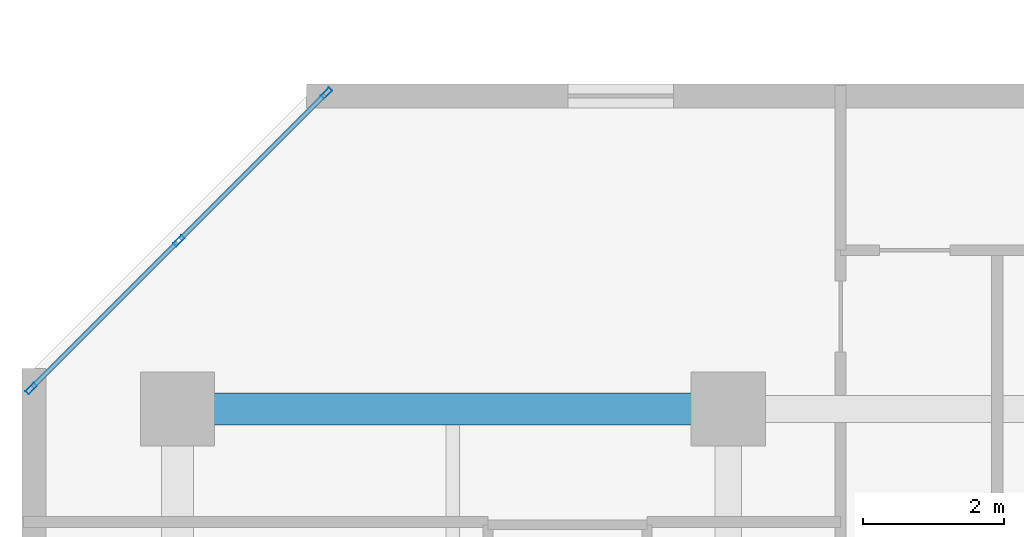
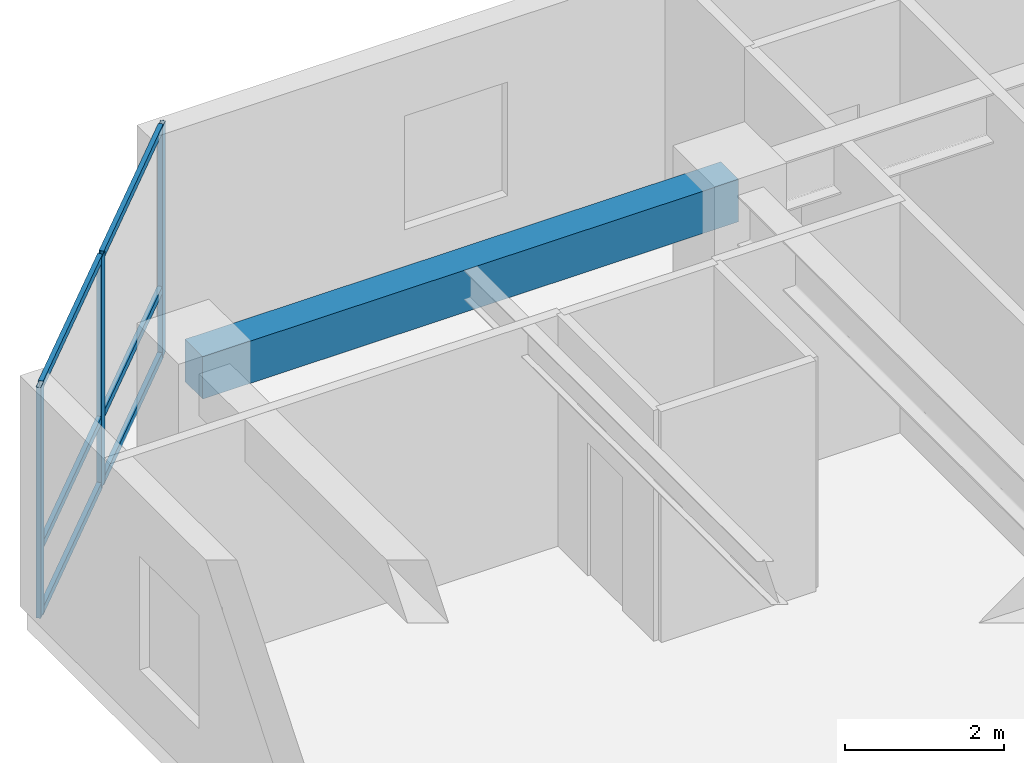
# One storey, part 3 of 11: 9 members, 1 beam, 1 element without a shape of its own.
"""IFC4 building model written with IfcOpenShell, lengths in metres."""

from ifc_helpers import new_model, si_unit, direction, frame, origin, origin_2d, place, context, subcontext, project, spatial, rectangle, hollow_rectangle, extrude, material, layer, layer_set, material_profile, profile_set, type_object, element, aggregate, save


model = new_model("IFC4")

# Units and contexts
model_context = context("Model", 3, precision=1e-05, world=origin(), true_north=direction((0.0, 1.0)))
body_context = subcontext(model_context, "Body", "Model", "MODEL_VIEW")
ifc_project = project(units=[si_unit("LENGTHUNIT", "METRE"), si_unit("AREAUNIT", "SQUARE_METRE"), si_unit("VOLUMEUNIT", "CUBIC_METRE"), si_unit("PLANEANGLEUNIT", "RADIAN"), si_unit("MASSUNIT", "GRAM", prefix="KILO")], contexts=[model_context])

# Site, building, storey
site_placement = place(None, origin())
site = spatial("IfcSite", under=ifc_project, at=site_placement, CompositionType="ELEMENT")
building_placement = place(site_placement, origin())
building = spatial("IfcBuilding", under=site, at=building_placement, Name="Kestravale Grand Hotel", CompositionType="ELEMENT")
storey_placement = place(building_placement, frame((0.0, 0.0, 168.800048828125)))
storey = spatial("IfcBuildingStorey", under=building, at=storey_placement, Name="L42", CompositionType="ELEMENT", Elevation=168.800048828125)

# Beam
ifc_material_1 = material(Name="Concrete f'c 45 MPa", Category="concrete")
ifc_material_profile_1 = material_profile(ifc_material_1, rectangle(XDim=0.449951171875, YDim=0.64990234375, at=origin_2d()))
ifc_profile_set_1 = profile_set([ifc_material_profile_1], Name="Concrete f'c 45 MPa")
beam_type = type_object("IfcBeamType", Name="B-FLR-RC650", PredefinedType="SPANDREL", material=ifc_profile_set_1)
beam_placement = place(storey_placement, frame((7.800048828125, 38.39990234375, 3.224853515625), z_axis=(1.0, 0.0, 0.0), x_axis=(0.0, 1.0, 0.0)))
element("IfcBeam", 1, at=beam_placement, inside=storey, type_object=beam_type, Name="L42 spandrel F:2-3", PredefinedType="SPANDREL", context=body_context, shape_type="SweptSolid", body=[
    extrude(rectangle(XDim=0.449951171875, YDim=0.64990234375, at=origin_2d()), origin(), (0.0, 0.0, 1.0), 7.800048828125),
])

# Curtain wall, members
ifc_material_2 = material(Name="Thermally broken champagne-bronze aluminium and low-E glazing", Category="aluminium")
ifc_layer = layer(ifc_material_2, 0.179931640625)
ifc_layer_set = layer_set([ifc_layer], Name="CW-Z3")
curtain_wall_type = type_object("IfcCurtainWallType", Name="CW-Z3", PredefinedType="NOTDEFINED", material=ifc_layer_set)
curtain_wall_placement = place(storey_placement, origin())
curtain_wall = element("IfcCurtainWall", 2, at=curtain_wall_placement, inside=storey, type_object=curtain_wall_type, Name="L42 unitised curtain wall 18", PredefinedType="NOTDEFINED")
ifc_material_3 = material(Name="Aluminium 6063-T6 anodised", Category="aluminium")
ifc_material_profile_2 = material_profile(ifc_material_3, hollow_rectangle(XDim=0.06494140625, YDim=0.1650390625, WallThickness=0.00341796875, at=origin_2d()))
ifc_profile_set_2 = profile_set([ifc_material_profile_2], Name="Aluminium 6063-T6 anodised")
member_type_1 = type_object("IfcMemberType", Name="CW-MUL-165", PredefinedType="MULLION", material=ifc_profile_set_2)
member_1_placement = place(storey_placement, frame((9.911376953125, 42.87109375, 0.0), z_axis=(0.0, 0.0, 1.0), x_axis=(0.707106781187, -0.707106781187, 0.0)))
member_1 = element("IfcMember", 3, at=member_1_placement, type_object=member_type_1, Name="CW-Z3 mullion 1", PredefinedType="MULLION", context=body_context, shape_type="SweptSolid", body=[
    extrude(hollow_rectangle(XDim=0.06494140625, YDim=0.1650390625, WallThickness=0.00341796875, at=origin_2d()), origin(), (0.0, 0.0, 1.0), 3.550048828125),
])
member_2_placement = place(storey_placement, frame((7.8203125, 40.77978515625, 0.0), z_axis=(0.0, 0.0, 1.0), x_axis=(0.707106781187, -0.707106781187, 0.0)))
member_2 = element("IfcMember", 4, at=member_2_placement, type_object=member_type_1, Name="CW-Z3 mullion 2", PredefinedType="MULLION", context=body_context, shape_type="SweptSolid", body=[
    extrude(hollow_rectangle(XDim=0.06494140625, YDim=0.1650390625, WallThickness=0.00341796875, at=origin_2d()), origin(), (0.0, 0.0, 1.0), 3.550048828125),
])
member_3_placement = place(storey_placement, frame((5.72900390625, 38.6884765625, 0.0), z_axis=(0.0, 0.0, 1.0), x_axis=(0.707106781187, -0.707106781187, 0.0)))
member_3 = element("IfcMember", 5, at=member_3_placement, type_object=member_type_1, Name="CW-Z3 mullion 3", PredefinedType="MULLION", context=body_context, shape_type="SweptSolid", body=[
    extrude(hollow_rectangle(XDim=0.06494140625, YDim=0.1650390625, WallThickness=0.00341796875, at=origin_2d()), origin(), (0.0, 0.0, 1.0), 3.550048828125),
])
ifc_material_4 = material(Name="Aluminium 6063-T6 anodised", Category="aluminium")
ifc_material_profile_3 = material_profile(ifc_material_4, hollow_rectangle(XDim=0.06494140625, YDim=0.114990234375, WallThickness=0.003173828125, at=origin_2d()))
ifc_profile_set_3 = profile_set([ifc_material_profile_3], Name="Aluminium 6063-T6 anodised")
member_type_2 = type_object("IfcMemberType", Name="CW-TRN-115", PredefinedType="USERDEFINED", material=ifc_profile_set_3)
member_4_placement = place(storey_placement, frame((9.888427734375, 42.84814453125, 0.032470703125), z_axis=(-0.707064577195, -0.707148982659, 0.0), x_axis=(0.707148982659, -0.707064577195, 0.0)))
member_4 = element("IfcMember", 6, at=member_4_placement, type_object=member_type_2, Name="CW-Z3 transom 1.1", ObjectType="TRANSOM", PredefinedType="USERDEFINED", context=body_context, shape_type="SweptSolid", body=[
    extrude(hollow_rectangle(XDim=0.06494140625, YDim=0.114990234375, WallThickness=0.003173828125, at=origin_2d()), origin(), (0.0, 0.0, 1.0), 2.892578125),
])
member_5_placement = place(storey_placement, frame((9.888427734375, 42.84814453125, 1.050048828125), z_axis=(-0.707064577195, -0.707148982659, 0.0), x_axis=(0.707148982659, -0.707064577195, 0.0)))
member_5 = element("IfcMember", 7, at=member_5_placement, type_object=member_type_2, Name="CW-Z3 transom 1.2", ObjectType="TRANSOM", PredefinedType="USERDEFINED", context=body_context, shape_type="SweptSolid", body=[
    extrude(hollow_rectangle(XDim=0.06494140625, YDim=0.114990234375, WallThickness=0.003173828125, at=origin_2d()), origin(), (0.0, 0.0, 1.0), 2.892578125),
])
member_6_placement = place(storey_placement, frame((9.888427734375, 42.84814453125, 3.517333984375), z_axis=(-0.707064577195, -0.707148982659, 0.0), x_axis=(0.707148982659, -0.707064577195, 0.0)))
member_6 = element("IfcMember", 8, at=member_6_placement, type_object=member_type_2, Name="CW-Z3 transom 1.3", ObjectType="TRANSOM", PredefinedType="USERDEFINED", context=body_context, shape_type="SweptSolid", body=[
    extrude(hollow_rectangle(XDim=0.06494140625, YDim=0.114990234375, WallThickness=0.003173828125, at=origin_2d()), origin(), (0.0, 0.0, 1.0), 2.892578125),
])
member_7_placement = place(storey_placement, frame((7.797119140625, 40.7568359375, 0.032470703125), z_axis=(-0.707106781187, -0.707106781187, 0.0), x_axis=(0.707106781187, -0.707106781187, 0.0)))
member_7 = element("IfcMember", 9, at=member_7_placement, type_object=member_type_2, Name="CW-Z3 transom 2.1", ObjectType="TRANSOM", PredefinedType="USERDEFINED", context=body_context, shape_type="SweptSolid", body=[
    extrude(hollow_rectangle(XDim=0.06494140625, YDim=0.114990234375, WallThickness=0.003173828125, at=origin_2d()), origin(), (0.0, 0.0, 1.0), 2.892333984375),
])
member_8_placement = place(storey_placement, frame((7.797119140625, 40.7568359375, 1.050048828125), z_axis=(-0.707106781187, -0.707106781187, 0.0), x_axis=(0.707106781187, -0.707106781187, 0.0)))
member_8 = element("IfcMember", 10, at=member_8_placement, type_object=member_type_2, Name="CW-Z3 transom 2.2", ObjectType="TRANSOM", PredefinedType="USERDEFINED", context=body_context, shape_type="SweptSolid", body=[
    extrude(hollow_rectangle(XDim=0.06494140625, YDim=0.114990234375, WallThickness=0.003173828125, at=origin_2d()), origin(), (0.0, 0.0, 1.0), 2.892333984375),
])
member_9_placement = place(storey_placement, frame((7.797119140625, 40.7568359375, 3.517333984375), z_axis=(-0.707106781187, -0.707106781187, 0.0), x_axis=(0.707106781187, -0.707106781187, 0.0)))
member_9 = element("IfcMember", 11, at=member_9_placement, type_object=member_type_2, Name="CW-Z3 transom 2.3", ObjectType="TRANSOM", PredefinedType="USERDEFINED", context=body_context, shape_type="SweptSolid", body=[
    extrude(hollow_rectangle(XDim=0.06494140625, YDim=0.114990234375, WallThickness=0.003173828125, at=origin_2d()), origin(), (0.0, 0.0, 1.0), 2.892333984375),
])
aggregate(curtain_wall, [member_1, member_2, member_3, member_4, member_5, member_6, member_7, member_8, member_9])

save(model, "model.ifc")
